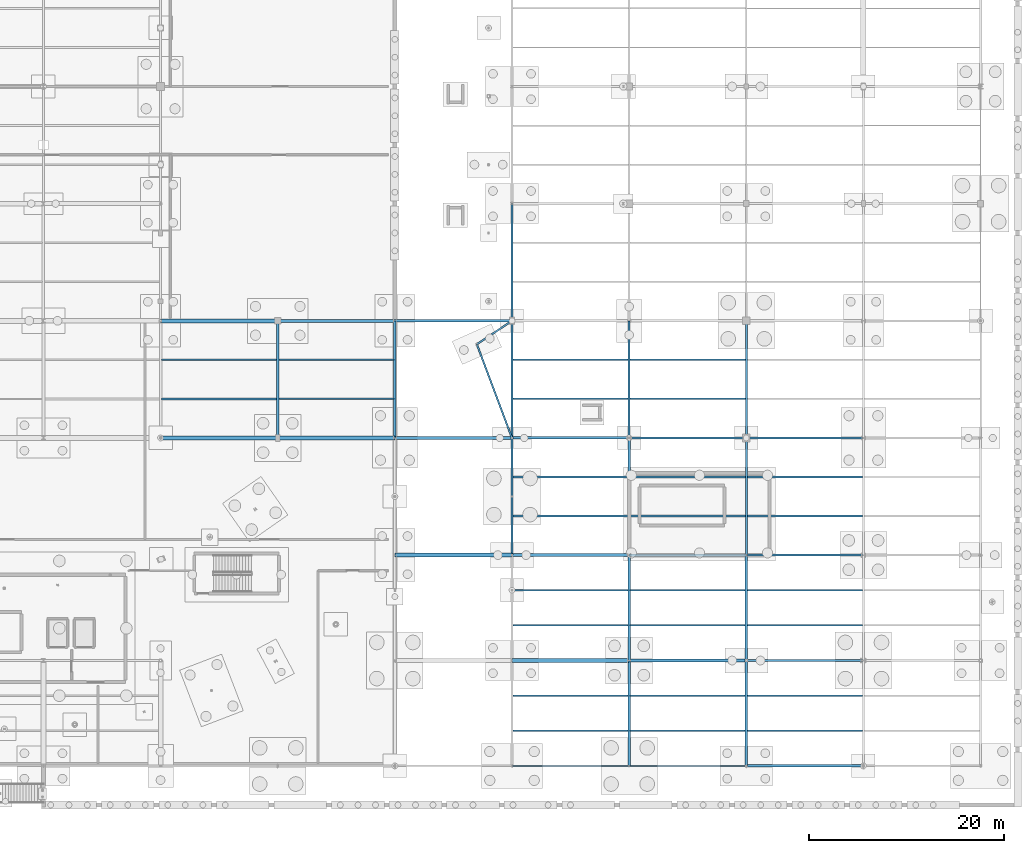
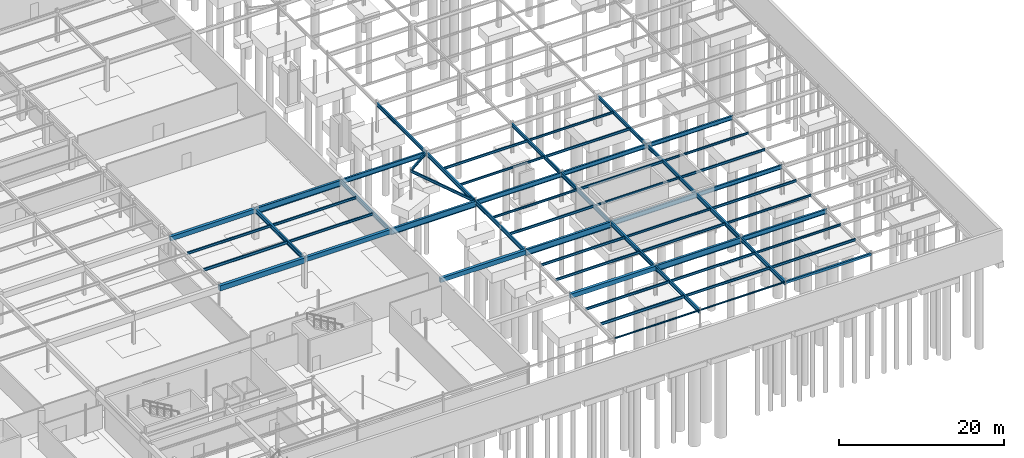
# One storey, part 84 of 136: 60 beams.
"""IFC4 building model written with IfcOpenShell, lengths in metres."""

from ifc_helpers import new_model, si_unit, direction, frame, origin, origin_2d, place, context, subcontext, project, spatial, rectangle, hollow_rectangle, i_section, extrude, material, material_profile, profile_set, type_object, element, save


model = new_model("IFC4")

# Units and contexts
model_context = context("Model", 3, precision=1e-05, world=origin(), true_north=direction((0.0, 1.0)))
body_context = subcontext(model_context, "Body", "Model", "MODEL_VIEW")
ifc_project = project(units=[si_unit("LENGTHUNIT", "METRE"), si_unit("AREAUNIT", "SQUARE_METRE"), si_unit("VOLUMEUNIT", "CUBIC_METRE"), si_unit("PLANEANGLEUNIT", "RADIAN"), si_unit("MASSUNIT", "GRAM", prefix="KILO")], contexts=[model_context])

# Site, building, storey
site_placement = place(None, origin())
site = spatial("IfcSite", under=ifc_project, at=site_placement, CompositionType="ELEMENT")
building_placement = place(site_placement, origin())
building = spatial("IfcBuilding", under=site, at=building_placement, Name="Tarnwether General Hospital", CompositionType="ELEMENT")
storey_placement = place(building_placement, frame((0.0, 0.0, -4.800048828125)))
storey = spatial("IfcBuildingStorey", under=building, at=storey_placement, Name="LG", CompositionType="ELEMENT", Elevation=-4.800048828125)

# Beams
ifc_material_1 = material(Name="Steel Grade 350 (350 MPa)", Category="steel")
ifc_material_profile_1 = material_profile(ifc_material_1, i_section(OverallWidth=0.300048828125, OverallDepth=0.89990234375, WebThickness=0.011962890625, FlangeThickness=0.02001953125, at=origin_2d()), Name="900WB175")
ifc_profile_set_1 = profile_set([ifc_material_profile_1], Name="Steel Grade 350 (350 MPa)")
beam_type_1 = type_object("IfcBeamType", Name="BM-G01", PredefinedType="BEAM", material=ifc_profile_set_1)
for number, where, z_axis, x_axis, name in (
    (1, (120.0, 45.60009765625, 3.969970703125), (1.0, 0.0, 0.0), (0.0, 1.0, 0.0), "Primary Girder BMG-LG-12000_4560-13200_4560-0208"),
    (2, (132.0, 33.60009765625, 3.969970703125), (1.0, 0.0, 0.0), (0.0, 1.0, 0.0), "Primary Girder BMG-LG-13200_3360-14400_3360-0219"),
    (3, (144.0, 21.60009765625, 3.969970703125), (1.0, 0.0, 0.0), (0.0, 1.0, 0.0), "Primary Girder BMG-LG-14400_2160-15600_2160-0235"),
    (4, (156.0, 10.800048828125, 3.969970703125), (1.0, 0.0, 0.0), (0.0, 1.0, 0.0), "Primary Girder BMG-LG-15600_1080-16800_1080-0256"),
):
    element("IfcBeam", number, at=place(storey_placement, frame(where, z_axis=z_axis, x_axis=x_axis)), inside=storey, type_object=beam_type_1, Name=name, PredefinedType="BEAM", context=body_context, shape_type="SweptSolid", body=[
        extrude(i_section(OverallWidth=0.300048828125, OverallDepth=0.89990234375, WebThickness=0.011962890625, FlangeThickness=0.02001953125, at=origin_2d()), origin(), (0.0, 0.0, 1.0), 12.0),
    ])
ifc_material_2 = material(Name="Steel Grade 350 (350 MPa)", Category="steel")
ifc_material_profile_2 = material_profile(ifc_material_2, i_section(OverallWidth=0.25, OverallDepth=0.69189453125, WebThickness=0.009033203125, FlangeThickness=0.01611328125, at=origin_2d()), Name="700WB115")
ifc_profile_set_2 = profile_set([ifc_material_profile_2], Name="Steel Grade 350 (350 MPa)")
beam_type_2 = type_object("IfcBeamType", Name="BM-G02", PredefinedType="BEAM", material=ifc_profile_set_2)
for number, where, z_axis, x_axis, name in (
    (5, (132.0, 45.60009765625, 4.073974609375), (1.0, 0.0, 0.0), (0.0, 1.0, 0.0), "Primary Girder BMG-LG-13200_4560-14400_4560-0221"),
    (6, (144.0, 33.60009765625, 4.073974609375), (1.0, 0.0, 0.0), (0.0, 1.0, 0.0), "Primary Girder BMG-LG-14400_3360-15600_3360-0237"),
    (7, (156.0, 21.60009765625, 4.073974609375), (1.0, 0.0, 0.0), (0.0, 1.0, 0.0), "Primary Girder BMG-LG-15600_2160-16800_2160-0258"),
    (8, (168.0, 10.800048828125, 4.073974609375), (1.0, 0.0, 0.0), (0.0, 1.0, 0.0), "Primary Girder BMG-LG-16800_1080-18000_1080-0279"),
):
    element("IfcBeam", number, at=place(storey_placement, frame(where, z_axis=z_axis, x_axis=x_axis)), inside=storey, type_object=beam_type_2, Name=name, PredefinedType="BEAM", context=body_context, shape_type="SweptSolid", body=[
        extrude(i_section(OverallWidth=0.25, OverallDepth=0.69189453125, WebThickness=0.009033203125, FlangeThickness=0.01611328125, at=origin_2d()), origin(), (0.0, 0.0, 1.0), 12.0),
    ])
ifc_material_3 = material(Name="Steel Grade 350 (350 MPa)", Category="steel")
ifc_material_profile_3 = material_profile(ifc_material_3, i_section(OverallWidth=0.22900390625, OverallDepth=0.612060546875, WebThickness=0.011962890625, FlangeThickness=0.01953125, at=origin_2d()), Name="610UB125")
ifc_profile_set_3 = profile_set([ifc_material_profile_3], Name="Steel Grade 350 (350 MPa)")
beam_type_3 = type_object("IfcBeamType", Name="BM-G03", PredefinedType="BEAM", material=ifc_profile_set_3)
beam_1_placement = place(storey_placement, frame((120.0, 33.60009765625, 4.1240234375), z_axis=(0.0, 1.0, 0.0), x_axis=(-1.0, 0.0, 0.0)))
element("IfcBeam", 9, at=beam_1_placement, inside=storey, type_object=beam_type_3, Name="Primary Girder BMG-LG-12000_3360-12000_4560-0207", PredefinedType="BEAM", context=body_context, shape_type="SweptSolid", body=[
    extrude(i_section(OverallWidth=0.22900390625, OverallDepth=0.612060546875, WebThickness=0.011962890625, FlangeThickness=0.01953125, at=origin_2d()), origin(), (0.0, 0.0, 1.0), 12.0),
])
beam_2_placement = place(storey_placement, frame((156.0, 0.0, 4.114013671875), z_axis=(0.0, 1.0, 0.0), x_axis=(-1.0, 0.0, 0.0)))
element("IfcBeam", 10, at=beam_2_placement, inside=storey, type_object=beam_type_3, Name="Primary Girder BMG-LG-15600_0-15600_1080-0255", PredefinedType="BEAM", context=body_context, shape_type="SweptSolid", body=[
    extrude(i_section(OverallWidth=0.22900390625, OverallDepth=0.612060546875, WebThickness=0.011962890625, FlangeThickness=0.01953125, at=origin_2d()), origin(), (0.0, 0.0, 1.0), 10.800048828125),
])
for number, where, z_axis, x_axis, name in (
    (11, (156.0, 33.60009765625, 4.114013671875), (1.0, 0.0, 0.0), (0.0, 1.0, 0.0), "Primary Girder BMG-LG-15600_3360-16800_3360-0260"),
    (12, (168.0, 21.60009765625, 4.114013671875), (1.0, 0.0, 0.0), (0.0, 1.0, 0.0), "Primary Girder BMG-LG-16800_2160-18000_2160-0281"),
):
    element("IfcBeam", number, at=place(storey_placement, frame(where, z_axis=z_axis, x_axis=x_axis)), inside=storey, type_object=beam_type_3, Name=name, PredefinedType="BEAM", context=body_context, shape_type="SweptSolid", body=[
        extrude(i_section(OverallWidth=0.22900390625, OverallDepth=0.612060546875, WebThickness=0.011962890625, FlangeThickness=0.01953125, at=origin_2d()), origin(), (0.0, 0.0, 1.0), 12.0),
    ])
ifc_material_4 = material(Name="Steel Grade 350 (350 MPa)", Category="steel")
ifc_material_profile_4 = material_profile(ifc_material_4, i_section(OverallWidth=0.22802734375, OverallDepth=0.60693359375, WebThickness=0.01123046875, FlangeThickness=0.017333984375, at=origin_2d()), Name="610UB113")
ifc_profile_set_4 = profile_set([ifc_material_profile_4], Name="Steel Grade 350 (350 MPa)")
beam_type_4 = type_object("IfcBeamType", Name="BM-G04", PredefinedType="BEAM", material=ifc_profile_set_4)
for number, where, z_axis, x_axis, name in (
    (13, (132.0, 33.60009765625, 4.116455078125), (0.0, 1.0, 0.0), (-1.0, 0.0, 0.0), "Primary Girder BMG-LG-13200_3360-13200_4560-0220"),
    (14, (144.0, 21.60009765625, 4.116455078125), (0.0, 1.0, 0.0), (-1.0, 0.0, 0.0), "Primary Girder BMG-LG-14400_2160-14400_3360-0236"),
):
    element("IfcBeam", number, at=place(storey_placement, frame(where, z_axis=z_axis, x_axis=x_axis)), inside=storey, type_object=beam_type_4, Name=name, PredefinedType="BEAM", context=body_context, shape_type="SweptSolid", body=[
        extrude(i_section(OverallWidth=0.22802734375, OverallDepth=0.60693359375, WebThickness=0.01123046875, FlangeThickness=0.017333984375, at=origin_2d()), origin(), (0.0, 0.0, 1.0), 12.0),
    ])
for number, where, z_axis, x_axis, name in (
    (15, (156.0, 10.800048828125, 4.116455078125), (0.0, 1.0, 0.0), (-1.0, 0.0, 0.0), "Primary Girder BMG-LG-15600_1080-15600_2160-0257"),
    (16, (168.0, 0.0, 4.116455078125), (0.0, 1.0, 0.0), (-1.0, 0.0, 0.0), "Primary Girder BMG-LG-16800_0-16800_1080-0278"),
):
    element("IfcBeam", number, at=place(storey_placement, frame(where, z_axis=z_axis, x_axis=x_axis)), inside=storey, type_object=beam_type_4, Name=name, PredefinedType="BEAM", context=body_context, shape_type="SweptSolid", body=[
        extrude(i_section(OverallWidth=0.22802734375, OverallDepth=0.60693359375, WebThickness=0.01123046875, FlangeThickness=0.017333984375, at=origin_2d()), origin(), (0.0, 0.0, 1.0), 10.800048828125),
    ])
beam_3_placement = place(storey_placement, frame((168.0, 33.60009765625, 4.116455078125), z_axis=(1.0, 0.0, 0.0), x_axis=(0.0, 1.0, 0.0)))
element("IfcBeam", 17, at=beam_3_placement, inside=storey, type_object=beam_type_4, Name="Primary Girder BMG-LG-16800_3360-18000_3360-0283", PredefinedType="BEAM", context=body_context, shape_type="SweptSolid", body=[
    extrude(i_section(OverallWidth=0.22802734375, OverallDepth=0.60693359375, WebThickness=0.01123046875, FlangeThickness=0.017333984375, at=origin_2d()), origin(), (0.0, 0.0, 1.0), 12.0),
])
ifc_material_5 = material(Name="Steel Grade 350 (350 MPa)", Category="steel")
ifc_material_profile_5 = material_profile(ifc_material_5, i_section(OverallWidth=0.22802734375, OverallDepth=0.60205078125, WebThickness=0.010498046875, FlangeThickness=0.014892578125, at=origin_2d()), Name="610UB101")
ifc_profile_set_5 = profile_set([ifc_material_profile_5], Name="Steel Grade 350 (350 MPa)")
beam_type_5 = type_object("IfcBeamType", Name="BM-G05", PredefinedType="BEAM", material=ifc_profile_set_5)
for number, where, z_axis, x_axis, name in (
    (18, (144.0, 33.60009765625, 4.119140625), (0.0, 1.0, 0.0), (-1.0, 0.0, 0.0), "Primary Girder BMG-LG-14400_3360-14400_4560-0238"),
    (19, (156.0, 21.60009765625, 4.119140625), (0.0, 1.0, 0.0), (-1.0, 0.0, 0.0), "Primary Girder BMG-LG-15600_2160-15600_3360-0259"),
):
    element("IfcBeam", number, at=place(storey_placement, frame(where, z_axis=z_axis, x_axis=x_axis)), inside=storey, type_object=beam_type_5, Name=name, PredefinedType="BEAM", context=body_context, shape_type="SweptSolid", body=[
        extrude(i_section(OverallWidth=0.22802734375, OverallDepth=0.60205078125, WebThickness=0.010498046875, FlangeThickness=0.014892578125, at=origin_2d()), origin(), (0.0, 0.0, 1.0), 12.0),
    ])
beam_4_placement = place(storey_placement, frame((168.0, 10.800048828125, 4.119140625), z_axis=(0.0, 1.0, 0.0), x_axis=(-1.0, 0.0, 0.0)))
element("IfcBeam", 20, at=beam_4_placement, inside=storey, type_object=beam_type_5, Name="Primary Girder BMG-LG-16800_1080-16800_2160-0280", PredefinedType="BEAM", context=body_context, shape_type="SweptSolid", body=[
    extrude(i_section(OverallWidth=0.22802734375, OverallDepth=0.60205078125, WebThickness=0.010498046875, FlangeThickness=0.014892578125, at=origin_2d()), origin(), (0.0, 0.0, 1.0), 10.800048828125),
])
ifc_material_6 = material(Name="Steel Grade 350 (350 MPa)", Category="steel")
ifc_material_profile_6 = material_profile(ifc_material_6, i_section(OverallWidth=0.208984375, OverallDepth=0.532958984375, WebThickness=0.01025390625, FlangeThickness=0.015625, at=origin_2d()), Name="530UB92.4")
ifc_profile_set_6 = profile_set([ifc_material_profile_6], Name="Steel Grade 350 (350 MPa)")
beam_type_6 = type_object("IfcBeamType", Name="BM-G06", PredefinedType="BEAM", material=ifc_profile_set_6)
for number, where, z_axis, x_axis, name in (
    (21, (144.0, 45.60009765625, 4.153564453125), (0.0, 1.0, 0.0), (-1.0, 0.0, 0.0), "Primary Girder BMG-LG-14400_4560-14400_5760-0240"),
    (22, (156.0, 33.60009765625, 4.153564453125), (0.0, 1.0, 0.0), (-1.0, 0.0, 0.0), "Primary Girder BMG-LG-15600_3360-15600_4560-0261"),
    (23, (168.0, 21.60009765625, 4.153564453125), (0.0, 1.0, 0.0), (-1.0, 0.0, 0.0), "Primary Girder BMG-LG-16800_2160-16800_3360-0282"),
):
    element("IfcBeam", number, at=place(storey_placement, frame(where, z_axis=z_axis, x_axis=x_axis)), inside=storey, type_object=beam_type_6, Name=name, PredefinedType="BEAM", context=body_context, shape_type="SweptSolid", body=[
        extrude(i_section(OverallWidth=0.208984375, OverallDepth=0.532958984375, WebThickness=0.01025390625, FlangeThickness=0.015625, at=origin_2d()), origin(), (0.0, 0.0, 1.0), 12.0),
    ])
ifc_material_7 = material(Name="Steel Grade 350 (350 MPa)", Category="steel")
ifc_material_profile_7 = material_profile(ifc_material_7, i_section(OverallWidth=0.208984375, OverallDepth=0.528076171875, WebThickness=0.009521484375, FlangeThickness=0.01318359375, at=origin_2d()), Name="530UB82.0")
ifc_profile_set_7 = profile_set([ifc_material_profile_7], Name="Steel Grade 350 (350 MPa)")
beam_type_7 = type_object("IfcBeamType", Name="BM-G07", PredefinedType="BEAM", material=ifc_profile_set_7)
beam_5_placement = place(storey_placement, frame((168.0, 33.60009765625, 4.156005859375), z_axis=(0.0, 1.0, 0.0), x_axis=(-1.0, 0.0, 0.0)))
element("IfcBeam", 24, at=beam_5_placement, inside=storey, type_object=beam_type_7, Name="Primary Girder BMG-LG-16800_3360-16800_4560-0284", PredefinedType="BEAM", context=body_context, shape_type="SweptSolid", body=[
    extrude(i_section(OverallWidth=0.208984375, OverallDepth=0.528076171875, WebThickness=0.009521484375, FlangeThickness=0.01318359375, at=origin_2d()), origin(), (0.0, 0.0, 1.0), 12.0),
])
ifc_material_8 = material(Name="Concrete 40 MPa", Category="concrete")
ifc_material_profile_8 = material_profile(ifc_material_8, rectangle(XDim=0.449951171875, YDim=0.75, at=origin_2d()), Name="RC-BM-450x750")
ifc_profile_set_8 = profile_set([ifc_material_profile_8], Name="Concrete 40 MPa")
beam_type_8 = type_object("IfcBeamType", Name="BM-G13", PredefinedType="BEAM", material=ifc_profile_set_8)
beam_6_placement = place(storey_placement, frame((108.0, 33.60009765625, 4.054931640625), z_axis=(1.0, 0.0, 0.0), x_axis=(0.0, 1.0, 0.0)))
element("IfcBeam", 25, at=beam_6_placement, inside=storey, type_object=beam_type_8, Name="Primary Girder BMG-LG-10800_3360-12000_3360-0194", PredefinedType="BEAM", context=body_context, shape_type="SweptSolid", body=[
    extrude(rectangle(XDim=0.449951171875, YDim=0.75, at=origin_2d()), origin(), (0.0, 0.0, 1.0), 12.0),
])
ifc_material_9 = material(Name="Concrete 40 MPa", Category="concrete")
ifc_material_profile_9 = material_profile(ifc_material_9, rectangle(XDim=0.39990234375, YDim=0.64990234375, at=origin_2d()), Name="RC-BM-400x650")
ifc_profile_set_9 = profile_set([ifc_material_profile_9], Name="Concrete 40 MPa")
beam_type_9 = type_object("IfcBeamType", Name="BM-G14", PredefinedType="BEAM", material=ifc_profile_set_9)
for number, where, z_axis, x_axis, name in (
    (26, (108.0, 45.60009765625, 4.10498046875), (1.0, 0.0, 0.0), (0.0, 1.0, 0.0), "Primary Girder BMG-LG-10800_4560-12000_4560-0196"),
    (27, (120.0, 33.60009765625, 4.094970703125), (1.0, 0.0, 0.0), (0.0, 1.0, 0.0), "Primary Girder BMG-LG-12000_3360-13200_3360-0206"),
    (28, (132.0, 21.60009765625, 4.094970703125), (1.0, 0.0, 0.0), (0.0, 1.0, 0.0), "Primary Girder BMG-LG-13200_2160-14400_2160-0217"),
    (29, (144.0, 10.800048828125, 4.094970703125), (1.0, 0.0, 0.0), (0.0, 1.0, 0.0), "Primary Girder BMG-LG-14400_1080-15600_1080-0233"),
):
    element("IfcBeam", number, at=place(storey_placement, frame(where, z_axis=z_axis, x_axis=x_axis)), inside=storey, type_object=beam_type_9, Name=name, PredefinedType="BEAM", context=body_context, shape_type="SweptSolid", body=[
        extrude(rectangle(XDim=0.39990234375, YDim=0.64990234375, at=origin_2d()), origin(), (0.0, 0.0, 1.0), 12.0),
    ])
ifc_material_10 = material(Name="Steel Grade 350 (350 MPa)", Category="steel")
ifc_material_profile_10 = material_profile(ifc_material_10, i_section(OverallWidth=0.177978515625, OverallDepth=0.403076171875, WebThickness=0.007568359375, FlangeThickness=0.010986328125, at=origin_2d()), Name="410UB53.7")
ifc_profile_set_10 = profile_set([ifc_material_profile_10], Name="Steel Grade 350 (350 MPa)")
beam_type_10 = type_object("IfcBeamType", Name="BM-J02", PredefinedType="JOIST", material=ifc_profile_set_10)
beam_7_placement = place(storey_placement, frame((108.118896484375, 37.60009765625, 4.228515625), z_axis=(1.0, 0.0, 0.0), x_axis=(0.0, 1.0, 0.0)))
element("IfcBeam", 30, at=beam_7_placement, inside=storey, type_object=beam_type_10, Name="Composite Floor Joist BMG-LG-10812_3760-11989_3760-0483", PredefinedType="JOIST", context=body_context, shape_type="SweptSolid", body=[
    extrude(i_section(OverallWidth=0.177978515625, OverallDepth=0.403076171875, WebThickness=0.007568359375, FlangeThickness=0.010986328125, at=origin_2d()), origin(), (0.0, 0.0, 1.0), 11.772216796875),
])
beam_8_placement = place(storey_placement, frame((144.118896484375, 3.60009765625, 4.218505859375), z_axis=(1.0, 0.0, 0.0), x_axis=(0.0, 1.0, 0.0)))
element("IfcBeam", 31, at=beam_8_placement, inside=storey, type_object=beam_type_10, Name="Composite Floor Joist BMG-LG-14412_360-15589_360-0491", PredefinedType="JOIST", context=body_context, shape_type="SweptSolid", body=[
    extrude(i_section(OverallWidth=0.177978515625, OverallDepth=0.403076171875, WebThickness=0.007568359375, FlangeThickness=0.010986328125, at=origin_2d()), origin(), (0.0, 0.0, 1.0), 11.773193359375),
])
ifc_material_11 = material(Name="Steel Grade 350 (350 MPa)", Category="steel")
ifc_material_profile_11 = material_profile(ifc_material_11, i_section(OverallWidth=0.172119140625, OverallDepth=0.35888671875, WebThickness=0.008056640625, FlangeThickness=0.012939453125, at=origin_2d()), Name="360UB56.7")
ifc_profile_set_11 = profile_set([ifc_material_profile_11], Name="Steel Grade 350 (350 MPa)")
beam_type_11 = type_object("IfcBeamType", Name="BM-J03", PredefinedType="JOIST", material=ifc_profile_set_11)
beam_9_placement = place(storey_placement, frame((108.118896484375, 41.60009765625, 4.25048828125), z_axis=(1.0, 0.0, 0.0), x_axis=(0.0, 1.0, 0.0)))
element("IfcBeam", 32, at=beam_9_placement, inside=storey, type_object=beam_type_11, Name="Composite Floor Joist BMG-LG-10812_4160-11989_4160-0484", PredefinedType="JOIST", context=body_context, shape_type="SweptSolid", body=[
    extrude(i_section(OverallWidth=0.172119140625, OverallDepth=0.35888671875, WebThickness=0.008056640625, FlangeThickness=0.012939453125, at=origin_2d()), origin(), (0.0, 0.0, 1.0), 11.772216796875),
])
beam_10_placement = place(storey_placement, frame((120.10888671875, 37.60009765625, 4.240478515625), z_axis=(1.0, 0.0, 0.0), x_axis=(0.0, 1.0, 0.0)))
element("IfcBeam", 33, at=beam_10_placement, inside=storey, type_object=beam_type_11, Name="Composite Floor Joist BMG-LG-12011_3760-13189_3760-0487", PredefinedType="JOIST", context=body_context, shape_type="SweptSolid", body=[
    extrude(i_section(OverallWidth=0.172119140625, OverallDepth=0.35888671875, WebThickness=0.008056640625, FlangeThickness=0.012939453125, at=origin_2d()), origin(), (0.0, 0.0, 1.0), 11.783203125),
])
beam_11_placement = place(storey_placement, frame((144.118896484375, 7.199951171875, 4.240478515625), z_axis=(1.0, 0.0, 0.0), x_axis=(0.0, 1.0, 0.0)))
element("IfcBeam", 34, at=beam_11_placement, inside=storey, type_object=beam_type_11, Name="Composite Floor Joist BMG-LG-14412_720-15589_720-0492", PredefinedType="JOIST", context=body_context, shape_type="SweptSolid", body=[
    extrude(i_section(OverallWidth=0.172119140625, OverallDepth=0.35888671875, WebThickness=0.008056640625, FlangeThickness=0.012939453125, at=origin_2d()), origin(), (0.0, 0.0, 1.0), 11.773193359375),
])
for number, where, z_axis, x_axis, name in (
    (35, (144.10791015625, 14.39990234375, 4.240478515625), (1.0, 0.0, 0.0), (0.0, 1.0, 0.0), "Composite Floor Joist BMG-LG-14411_1440-15589_1440-0493"),
    (36, (156.10791015625, 3.60009765625, 4.240478515625), (1.0, 0.0, 0.0), (0.0, 1.0, 0.0), "Composite Floor Joist BMG-LG-15611_360-16789_360-0513"),
):
    element("IfcBeam", number, at=place(storey_placement, frame(where, z_axis=z_axis, x_axis=x_axis)), inside=storey, type_object=beam_type_11, Name=name, PredefinedType="JOIST", context=body_context, shape_type="SweptSolid", body=[
        extrude(i_section(OverallWidth=0.172119140625, OverallDepth=0.35888671875, WebThickness=0.008056640625, FlangeThickness=0.012939453125, at=origin_2d()), origin(), (0.0, 0.0, 1.0), 11.7841796875),
    ])
ifc_material_12 = material(Name="Steel Grade 350 (350 MPa)", Category="steel")
ifc_material_profile_12 = material_profile(ifc_material_12, i_section(OverallWidth=0.1708984375, OverallDepth=0.35595703125, WebThickness=0.00732421875, FlangeThickness=0.011474609375, at=origin_2d()), Name="360UB50.7")
ifc_profile_set_12 = profile_set([ifc_material_profile_12], Name="Steel Grade 350 (350 MPa)")
beam_type_12 = type_object("IfcBeamType", Name="BM-J04", PredefinedType="JOIST", material=ifc_profile_set_12)
beam_12_placement = place(storey_placement, frame((120.10888671875, 41.60009765625, 4.241943359375), z_axis=(1.0, 0.0, 0.0), x_axis=(0.0, 1.0, 0.0)))
element("IfcBeam", 37, at=beam_12_placement, inside=storey, type_object=beam_type_12, Name="Composite Floor Joist BMG-LG-12011_4160-13189_4160-0488", PredefinedType="JOIST", context=body_context, shape_type="SweptSolid", body=[
    extrude(i_section(OverallWidth=0.1708984375, OverallDepth=0.35595703125, WebThickness=0.00732421875, FlangeThickness=0.011474609375, at=origin_2d()), origin(), (0.0, 0.0, 1.0), 11.783203125),
])
for number, where, z_axis, x_axis, name in (
    (38, (144.10791015625, 18.0, 4.241943359375), (1.0, 0.0, 0.0), (0.0, 1.0, 0.0), "Composite Floor Joist BMG-LG-14411_1800-15589_1800-0494"),
    (39, (144.10791015625, 25.60009765625, 4.241943359375), (1.0, 0.0, 0.0), (0.0, 1.0, 0.0), "Composite Floor Joist BMG-LG-14411_2560-15589_2560-0495"),
    (40, (156.10791015625, 7.199951171875, 4.241943359375), (1.0, 0.0, 0.0), (0.0, 1.0, 0.0), "Composite Floor Joist BMG-LG-15611_720-16789_720-0514"),
    (41, (156.10791015625, 14.39990234375, 4.241943359375), (1.0, 0.0, 0.0), (0.0, 1.0, 0.0), "Composite Floor Joist BMG-LG-15611_1440-16789_1440-0515"),
    (42, (168.10791015625, 3.60009765625, 4.241943359375), (1.0, 0.0, 0.0), (0.0, 1.0, 0.0), "Composite Floor Joist BMG-LG-16811_360-17989_360-0535"),
):
    element("IfcBeam", number, at=place(storey_placement, frame(where, z_axis=z_axis, x_axis=x_axis)), inside=storey, type_object=beam_type_12, Name=name, PredefinedType="JOIST", context=body_context, shape_type="SweptSolid", body=[
        extrude(i_section(OverallWidth=0.1708984375, OverallDepth=0.35595703125, WebThickness=0.00732421875, FlangeThickness=0.011474609375, at=origin_2d()), origin(), (0.0, 0.0, 1.0), 11.7841796875),
    ])
ifc_material_13 = material(Name="Steel Grade 350 (350 MPa)", Category="steel")
ifc_material_profile_13 = material_profile(ifc_material_13, i_section(OverallWidth=0.166015625, OverallDepth=0.306884765625, WebThickness=0.006591796875, FlangeThickness=0.01171875, at=origin_2d()), Name="310UB46.2")
ifc_profile_set_13 = profile_set([ifc_material_profile_13], Name="Steel Grade 350 (350 MPa)")
beam_type_13 = type_object("IfcBeamType", Name="BM-J05", PredefinedType="JOIST", material=ifc_profile_set_13)
beam_13_placement = place(storey_placement, frame((144.10791015625, 29.60009765625, 4.2666015625), z_axis=(1.0, 0.0, 0.0), x_axis=(0.0, 1.0, 0.0)))
element("IfcBeam", 43, at=beam_13_placement, inside=storey, type_object=beam_type_13, Name="Composite Floor Joist BMG-LG-14411_2960-15589_2960-0496", PredefinedType="JOIST", context=body_context, shape_type="SweptSolid", body=[
    extrude(i_section(OverallWidth=0.166015625, OverallDepth=0.306884765625, WebThickness=0.006591796875, FlangeThickness=0.01171875, at=origin_2d()), origin(), (0.0, 0.0, 1.0), 11.7841796875),
])
beam_14_placement = place(storey_placement, frame((144.10791015625, 37.60009765625, 4.2666015625), z_axis=(1.0, 0.0, 0.0), x_axis=(0.0, 1.0, 0.0)))
element("IfcBeam", 44, at=beam_14_placement, inside=storey, type_object=beam_type_13, Name="Composite Floor Joist BMG-LG-14411_3760-15590_3760-0497", PredefinedType="JOIST", context=body_context, shape_type="SweptSolid", body=[
    extrude(i_section(OverallWidth=0.166015625, OverallDepth=0.306884765625, WebThickness=0.006591796875, FlangeThickness=0.01171875, at=origin_2d()), origin(), (0.0, 0.0, 1.0), 11.79296875),
])
beam_15_placement = place(storey_placement, frame((156.10791015625, 18.0, 4.2666015625), z_axis=(1.0, 0.0, 0.0), x_axis=(0.0, 1.0, 0.0)))
element("IfcBeam", 45, at=beam_15_placement, inside=storey, type_object=beam_type_13, Name="Composite Floor Joist BMG-LG-15611_1800-16789_1800-0516", PredefinedType="JOIST", context=body_context, shape_type="SweptSolid", body=[
    extrude(i_section(OverallWidth=0.166015625, OverallDepth=0.306884765625, WebThickness=0.006591796875, FlangeThickness=0.01171875, at=origin_2d()), origin(), (0.0, 0.0, 1.0), 11.7841796875),
])
beam_16_placement = place(storey_placement, frame((156.10791015625, 25.60009765625, 4.2666015625), z_axis=(1.0, 0.0, 0.0), x_axis=(0.0, 1.0, 0.0)))
element("IfcBeam", 46, at=beam_16_placement, inside=storey, type_object=beam_type_13, Name="Composite Floor Joist BMG-LG-15611_2560-16790_2560-0517", PredefinedType="JOIST", context=body_context, shape_type="SweptSolid", body=[
    extrude(i_section(OverallWidth=0.166015625, OverallDepth=0.306884765625, WebThickness=0.006591796875, FlangeThickness=0.01171875, at=origin_2d()), origin(), (0.0, 0.0, 1.0), 11.79296875),
])
beam_17_placement = place(storey_placement, frame((168.10791015625, 7.199951171875, 4.2666015625), z_axis=(1.0, 0.0, 0.0), x_axis=(0.0, 1.0, 0.0)))
element("IfcBeam", 47, at=beam_17_placement, inside=storey, type_object=beam_type_13, Name="Composite Floor Joist BMG-LG-16811_720-17989_720-0536", PredefinedType="JOIST", context=body_context, shape_type="SweptSolid", body=[
    extrude(i_section(OverallWidth=0.166015625, OverallDepth=0.306884765625, WebThickness=0.006591796875, FlangeThickness=0.01171875, at=origin_2d()), origin(), (0.0, 0.0, 1.0), 11.7841796875),
])
beam_18_placement = place(storey_placement, frame((168.10791015625, 14.39990234375, 4.2666015625), z_axis=(1.0, 0.0, 0.0), x_axis=(0.0, 1.0, 0.0)))
element("IfcBeam", 48, at=beam_18_placement, inside=storey, type_object=beam_type_13, Name="Composite Floor Joist BMG-LG-16811_1440-17990_1440-0537", PredefinedType="JOIST", context=body_context, shape_type="SweptSolid", body=[
    extrude(i_section(OverallWidth=0.166015625, OverallDepth=0.306884765625, WebThickness=0.006591796875, FlangeThickness=0.01171875, at=origin_2d()), origin(), (0.0, 0.0, 1.0), 11.79296875),
])
ifc_material_14 = material(Name="Steel Grade 350 (350 MPa)", Category="steel")
ifc_material_profile_14 = material_profile(ifc_material_14, i_section(OverallWidth=0.1708984375, OverallDepth=0.35205078125, WebThickness=0.0068359375, FlangeThickness=0.009765625, at=origin_2d()), Name="360UB44.7")
ifc_profile_set_14 = profile_set([ifc_material_profile_14], Name="Steel Grade 350 (350 MPa)")
beam_type_14 = type_object("IfcBeamType", Name="BM-J06", PredefinedType="JOIST", material=ifc_profile_set_14)
for number, where, z_axis, x_axis, name in (
    (49, (144.10791015625, 41.60009765625, 4.244140625), (1.0, 0.0, 0.0), (0.0, 1.0, 0.0), "Composite Floor Joist BMG-LG-14411_4160-15590_4160-0498"),
    (50, (156.10791015625, 29.60009765625, 4.244140625), (1.0, 0.0, 0.0), (0.0, 1.0, 0.0), "Composite Floor Joist BMG-LG-15611_2960-16790_2960-0518"),
):
    element("IfcBeam", number, at=place(storey_placement, frame(where, z_axis=z_axis, x_axis=x_axis)), inside=storey, type_object=beam_type_14, Name=name, PredefinedType="JOIST", context=body_context, shape_type="SweptSolid", body=[
        extrude(i_section(OverallWidth=0.1708984375, OverallDepth=0.35205078125, WebThickness=0.0068359375, FlangeThickness=0.009765625, at=origin_2d()), origin(), (0.0, 0.0, 1.0), 11.79296875),
    ])
beam_19_placement = place(storey_placement, frame((156.09912109375, 37.60009765625, 4.244140625), z_axis=(1.0, 0.0, 0.0), x_axis=(0.0, 1.0, 0.0)))
element("IfcBeam", 51, at=beam_19_placement, inside=storey, type_object=beam_type_14, Name="Composite Floor Joist BMG-LG-15610_3760-16790_3760-0519", PredefinedType="JOIST", context=body_context, shape_type="SweptSolid", body=[
    extrude(i_section(OverallWidth=0.1708984375, OverallDepth=0.35205078125, WebThickness=0.0068359375, FlangeThickness=0.009765625, at=origin_2d()), origin(), (0.0, 0.0, 1.0), 11.8017578125),
])
beam_20_placement = place(storey_placement, frame((168.10791015625, 18.0, 4.244140625), z_axis=(1.0, 0.0, 0.0), x_axis=(0.0, 1.0, 0.0)))
element("IfcBeam", 52, at=beam_20_placement, inside=storey, type_object=beam_type_14, Name="Composite Floor Joist BMG-LG-16811_1800-17990_1800-0538", PredefinedType="JOIST", context=body_context, shape_type="SweptSolid", body=[
    extrude(i_section(OverallWidth=0.1708984375, OverallDepth=0.35205078125, WebThickness=0.0068359375, FlangeThickness=0.009765625, at=origin_2d()), origin(), (0.0, 0.0, 1.0), 11.79296875),
])
beam_21_placement = place(storey_placement, frame((168.09912109375, 25.60009765625, 4.244140625), z_axis=(1.0, 0.0, 0.0), x_axis=(0.0, 1.0, 0.0)))
element("IfcBeam", 53, at=beam_21_placement, inside=storey, type_object=beam_type_14, Name="Composite Floor Joist BMG-LG-16810_2560-17990_2560-0539", PredefinedType="JOIST", context=body_context, shape_type="SweptSolid", body=[
    extrude(i_section(OverallWidth=0.1708984375, OverallDepth=0.35205078125, WebThickness=0.0068359375, FlangeThickness=0.009765625, at=origin_2d()), origin(), (0.0, 0.0, 1.0), 11.8017578125),
])
ifc_material_15 = material(Name="Steel Grade 350 (350 MPa)", Category="steel")
ifc_material_profile_15 = material_profile(ifc_material_15, i_section(OverallWidth=0.1650390625, OverallDepth=0.303955078125, WebThickness=0.006103515625, FlangeThickness=0.01025390625, at=origin_2d()), Name="310UB40.4")
ifc_profile_set_15 = profile_set([ifc_material_profile_15], Name="Steel Grade 350 (350 MPa)")
beam_type_15 = type_object("IfcBeamType", Name="BM-J07", PredefinedType="JOIST", material=ifc_profile_set_15)
for number, where, z_axis, x_axis, name in (
    (54, (156.09912109375, 41.60009765625, 4.26806640625), (1.0, 0.0, 0.0), (0.0, 1.0, 0.0), "Composite Floor Joist BMG-LG-15610_4160-16790_4160-0520"),
    (55, (168.09912109375, 29.60009765625, 4.26806640625), (1.0, 0.0, 0.0), (0.0, 1.0, 0.0), "Composite Floor Joist BMG-LG-16810_2960-17990_2960-0540"),
):
    element("IfcBeam", number, at=place(storey_placement, frame(where, z_axis=z_axis, x_axis=x_axis)), inside=storey, type_object=beam_type_15, Name=name, PredefinedType="JOIST", context=body_context, shape_type="SweptSolid", body=[
        extrude(i_section(OverallWidth=0.1650390625, OverallDepth=0.303955078125, WebThickness=0.006103515625, FlangeThickness=0.01025390625, at=origin_2d()), origin(), (0.0, 0.0, 1.0), 11.8017578125),
    ])
ifc_material_16 = material(Name="Steel Grade 350 (350 MPa)", Category="steel")
ifc_material_profile_16 = material_profile(ifc_material_16, i_section(OverallWidth=0.177978515625, OverallDepth=0.403076171875, WebThickness=0.007568359375, FlangeThickness=0.010986328125, at=origin_2d()), Name="410UB53.7")
ifc_profile_set_16 = profile_set([ifc_material_profile_16], Name="Steel Grade 350 (350 MPa)")
beam_type_16 = type_object("IfcBeamType", Name="BM-SP2", PredefinedType="SPANDREL", material=ifc_profile_set_16)
beam_22_placement = place(storey_placement, frame((144.0, 33.60009765625, 4.228515625), z_axis=(-0.351136489402, 0.936324284535, 0.0), x_axis=(-0.936324284535, -0.351136489402, 0.0)))
element("IfcBeam", 56, at=beam_22_placement, inside=storey, type_object=beam_type_16, Name="Forecourt South Shard Girder BMG-LG-14400_3360-14040_4320-2220", PredefinedType="SPANDREL", context=body_context, shape_type="SweptSolid", body=[
    extrude(i_section(OverallWidth=0.177978515625, OverallDepth=0.403076171875, WebThickness=0.007568359375, FlangeThickness=0.010986328125, at=origin_2d()), origin(), (0.0, 0.0, 1.0), 10.252685546875),
])
beam_23_placement = place(storey_placement, frame((140.39990234375, 43.199951171875, 4.228515625), z_axis=(0.832041613482, 0.554713217289, 0.0), x_axis=(-0.554713217289, 0.832041613482, 0.0)))
element("IfcBeam", 57, at=beam_23_placement, inside=storey, type_object=beam_type_16, Name="Forecourt South Shard Tie BMG-LG-14040_4320-14400_4560-2221", PredefinedType="SPANDREL", context=body_context, shape_type="SweptSolid", body=[
    extrude(i_section(OverallWidth=0.177978515625, OverallDepth=0.403076171875, WebThickness=0.007568359375, FlangeThickness=0.010986328125, at=origin_2d()), origin(), (0.0, 0.0, 1.0), 4.326904296875),
])
ifc_material_17 = material(Name="Steel Grade 350 (350 MPa)", Category="steel")
ifc_material_profile_17 = material_profile(ifc_material_17, i_section(OverallWidth=0.133056640625, OverallDepth=0.202880859375, WebThickness=0.005859375, FlangeThickness=0.0078125, at=origin_2d()), Name="200UB25.4")
ifc_profile_set_17 = profile_set([ifc_material_profile_17], Name="Steel Grade 350 (350 MPa)")
beam_type_17 = type_object("IfcBeamType", Name="BM-SP5", PredefinedType="SPANDREL", material=ifc_profile_set_17)
beam_24_placement = place(storey_placement, frame((144.0, 0.0, 4.318603515625), z_axis=(1.0, 0.0, 0.0), x_axis=(0.0, 1.0, 0.0)))
element("IfcBeam", 58, at=beam_24_placement, inside=storey, type_object=beam_type_17, Name="Primary Girder BMG-LG-14400_0-15600_0-0231", PredefinedType="SPANDREL", context=body_context, shape_type="SweptSolid", body=[
    extrude(i_section(OverallWidth=0.133056640625, OverallDepth=0.202880859375, WebThickness=0.005859375, FlangeThickness=0.0078125, at=origin_2d()), origin(), (0.0, 0.0, 1.0), 12.0),
])
ifc_material_18 = material(Name="Steel Grade 350 (350 MPa)", Category="steel")
ifc_material_profile_18 = material_profile(ifc_material_18, i_section(OverallWidth=0.133056640625, OverallDepth=0.201904296875, WebThickness=0.0048828125, FlangeThickness=0.007080078125, at=origin_2d()), Name="200UB22.3")
ifc_profile_set_18 = profile_set([ifc_material_profile_18], Name="Steel Grade 350 (350 MPa)")
beam_type_18 = type_object("IfcBeamType", Name="BM-SP6", PredefinedType="SPANDREL", material=ifc_profile_set_18)
beam_25_placement = place(storey_placement, frame((156.0, 0.0, 4.319091796875), z_axis=(1.0, 0.0, 0.0), x_axis=(0.0, 1.0, 0.0)))
element("IfcBeam", 59, at=beam_25_placement, inside=storey, type_object=beam_type_18, Name="Primary Girder BMG-LG-15600_0-16800_0-0254", PredefinedType="SPANDREL", context=body_context, shape_type="SweptSolid", body=[
    extrude(i_section(OverallWidth=0.133056640625, OverallDepth=0.201904296875, WebThickness=0.0048828125, FlangeThickness=0.007080078125, at=origin_2d()), origin(), (0.0, 0.0, 1.0), 12.0),
])
ifc_material_19 = material(Name="Steel Grade C350L0 (350 MPa)", Category="steel")
ifc_material_profile_19 = material_profile(ifc_material_19, hollow_rectangle(XDim=0.25, YDim=0.35009765625, WallThickness=0.012451171875, at=origin_2d()), Name="RHS350x250x12.5")
ifc_profile_set_19 = profile_set([ifc_material_profile_19], Name="Steel Grade C350L0 (350 MPa)")
beam_type_19 = type_object("IfcBeamType", Name="BM-SP7", PredefinedType="SPANDREL", material=ifc_profile_set_19)
beam_26_placement = place(storey_placement, frame((168.0, 0.0, 4.2451171875), z_axis=(1.0, 0.0, 0.0), x_axis=(0.0, 1.0, 0.0)))
element("IfcBeam", 60, at=beam_26_placement, inside=storey, type_object=beam_type_19, Name="Primary Girder BMG-LG-16800_0-18000_0-0277", PredefinedType="SPANDREL", context=body_context, shape_type="SweptSolid", body=[
    extrude(hollow_rectangle(XDim=0.25, YDim=0.35009765625, WallThickness=0.012451171875, at=origin_2d()), origin(), (0.0, 0.0, 1.0), 12.0),
])

save(model, "model.ifc")
